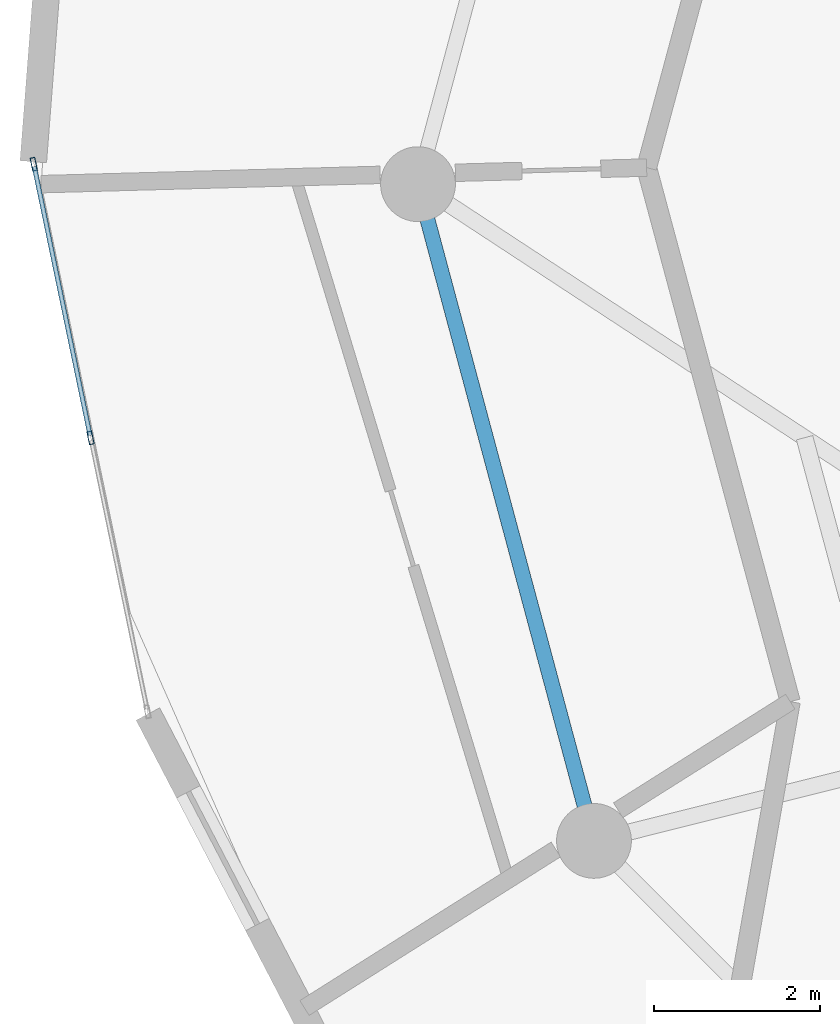
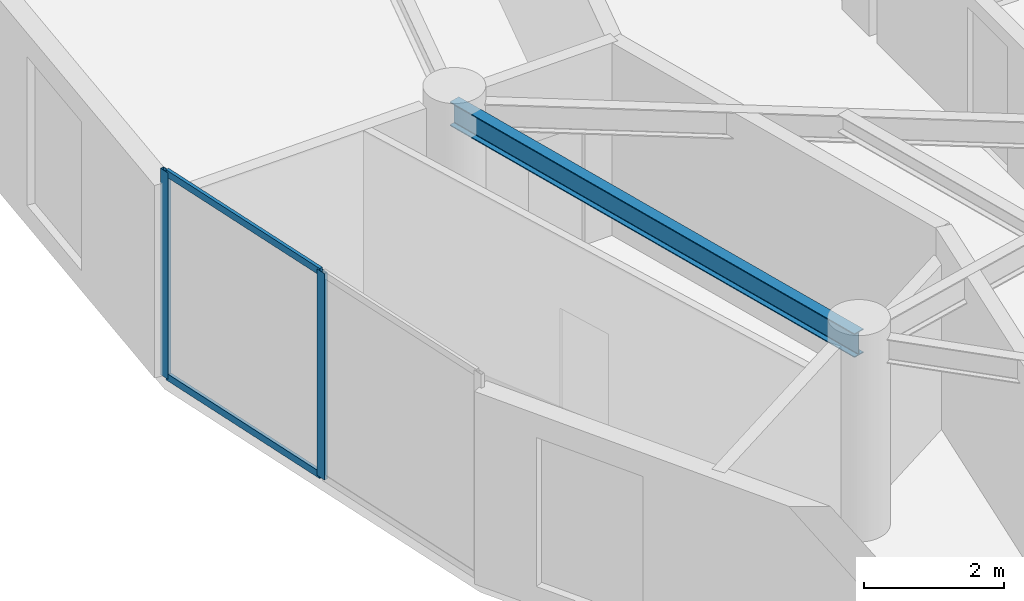
# One storey, part 7 of 21: 4 members, 1 beam, 1 element without a shape of its own.
"""IFC4 building model written with IfcOpenShell, lengths in metres."""

import ifcopenshell
import ifcopenshell.guid

model = None  # the IFC model being written
_history = None  # IfcOwnerHistory: only IFC2X3 demands one
_inside = {}  # id of a spatial element -> (the spatial element, [elements in it])
_under = {}  # id of a project, library or spatial element -> (it, [spatial elements below it])
_declared = {}  # id of a project -> (the project, [libraries it declares])
_typed = {}  # id of a type object -> (the type object, [elements of that type])
_made_of = {}  # id of a material, layer set ... -> (it, [elements and type objects made of it])


def new_model(schema):
    """Start an empty IFC model of exactly this schema.

    Asked for "IFC4X3", IfcOpenShell would pick the latest addendum, in which some entities
    have other attributes; the version numbers below select the first issue.
    IFC2X3 requires an IfcOwnerHistory on every rooted entity: one is made here for all.
    """
    global model, _history
    if schema == "IFC4X3":
        model = ifcopenshell.file(schema_version=(4, 3, 0, 0))
    else:
        model = ifcopenshell.file(schema=schema)
    _inside.clear()
    _under.clear()
    _declared.clear()
    _typed.clear()
    _made_of.clear()
    _history = None
    if model.schema == "IFC2X3":
        org = make("IfcOrganization", Name="unknown")
        user = make(
            "IfcPersonAndOrganization",
            ThePerson=make("IfcPerson", FamilyName="unknown"),
            TheOrganization=org,
        )
        app = make(
            "IfcApplication",
            ApplicationDeveloper=org,
            Version="unknown",
            ApplicationFullName="unknown",
            ApplicationIdentifier="unknown",
        )
        _history = make(
            "IfcOwnerHistory",
            OwningUser=user,
            OwningApplication=app,
            ChangeAction="ADDED",
            CreationDate=0,
        )
    return model


def make(cls, **values):
    """One entity of the class cls with the attributes given. An attribute that is None is left unset."""
    return model.create_entity(
        cls, **{name: value for name, value in values.items() if value is not None}
    )


def rooted(cls, **values):
    """An entity with a GlobalId (a new one), such as an element, a storey or a relation."""
    return make(cls, GlobalId=ifcopenshell.guid.new(), OwnerHistory=_history, **values)


def si_unit(unit_type, name, prefix=None):
    """IfcSIUnit, for example si_unit("LENGTHUNIT", "METRE", prefix="MILLI")."""
    return make("IfcSIUnit", UnitType=unit_type, Prefix=prefix, Name=name)


def assignment(units):
    """IfcUnitAssignment: the units of a project."""
    return None if units is None else make("IfcUnitAssignment", Units=units)


def point(xyz):
    """IfcCartesianPoint."""
    return None if xyz is None else make("IfcCartesianPoint", Coordinates=xyz)


def direction(xyz):
    """IfcDirection."""
    return None if xyz is None else make("IfcDirection", DirectionRatios=xyz)


def frame(location, z_axis=None, x_axis=None):
    """IfcAxis2Placement3D, a coordinate frame: its origin and axes. An axis left out is left unset."""
    return make(
        "IfcAxis2Placement3D",
        Location=point(location),
        Axis=direction(z_axis),
        RefDirection=direction(x_axis),
    )


def frame_2d(location, x_axis=None):
    """IfcAxis2Placement2D, a coordinate frame in the plane: its origin and x axis."""
    return make(
        "IfcAxis2Placement2D", Location=point(location), RefDirection=direction(x_axis)
    )


def origin():
    """The frame at (0, 0, 0) with its axes left unset."""
    return frame((0.0, 0.0, 0.0))


def origin_2d():
    """The frame at (0, 0) in the plane with its x axis left unset."""
    return frame_2d((0.0, 0.0))


def place(relative_to, where):
    """IfcLocalPlacement: puts the frame where relative to a parent placement (None: the world)."""
    return make(
        "IfcLocalPlacement", PlacementRelTo=relative_to, RelativePlacement=where
    )


def context(
    kind, dimensions, precision=None, world=None, true_north=None, identifier=None
):
    """IfcGeometricRepresentationContext, for example the 3D "Model" context."""
    return make(
        "IfcGeometricRepresentationContext",
        ContextIdentifier=identifier,
        ContextType=kind,
        CoordinateSpaceDimension=dimensions,
        Precision=precision,
        WorldCoordinateSystem=world,
        TrueNorth=true_north,
    )


def subcontext(parent, identifier, kind, view, scale=None):
    """IfcGeometricRepresentationSubContext, for example "Body" below "Model"."""
    return make(
        "IfcGeometricRepresentationSubContext",
        ContextIdentifier=identifier,
        ContextType=kind,
        ParentContext=parent,
        TargetScale=scale,
        TargetView=view,
    )


def project(units=None, contexts=None):
    """IfcProject with its units and contexts."""
    return rooted(
        "IfcProject",
        Name="project",
        RepresentationContexts=contexts,
        UnitsInContext=assignment(units),
    )


def spatial(cls, under=None, at=None, **own):
    """A site, building, storey or space (cls), placed at a placement, below another one or the project."""
    s = rooted(cls, ObjectPlacement=at, **own)
    if under is not None:
        _under.setdefault(under.id(), (under, []))[1].append(s)
    return s


def profile(cls, at=None, kind="AREA", **sizes):
    """A parametric profile (cls). Its sizes go by their IFC names, for example OverallWidth=200.0."""
    return make(cls, ProfileType=kind, Position=at, **sizes)


def hollow_rectangle(**sizes):
    """IfcRectangleHollowProfileDef."""
    return profile("IfcRectangleHollowProfileDef", **sizes)


def i_section(**sizes):
    """IfcIShapeProfileDef."""
    return profile("IfcIShapeProfileDef", **sizes)


def extrude(swept, where, along, depth):
    """IfcExtrudedAreaSolid: the profile swept, set in the frame where, extruded along a direction by depth."""
    return make(
        "IfcExtrudedAreaSolid",
        SweptArea=swept,
        Position=where,
        ExtrudedDirection=direction(along),
        Depth=depth,
    )


def shape(context_of_items, identifier, shape_type, items):
    """IfcShapeRepresentation: the items that make up one representation, for example the "Body"."""
    return make(
        "IfcShapeRepresentation",
        ContextOfItems=context_of_items,
        RepresentationIdentifier=identifier,
        RepresentationType=shape_type,
        Items=items,
    )


def source(mapping_origin, context_of_items, identifier, shape_type, items):
    """IfcRepresentationMap: a shape defined once, which mapped items show again and again."""
    return make(
        "IfcRepresentationMap",
        MappingOrigin=mapping_origin,
        MappedRepresentation=shape(context_of_items, identifier, shape_type, items),
    )


def transform(
    local_origin,
    x_axis=None,
    y_axis=None,
    z_axis=None,
    scale=None,
    scale2=None,
    scale3=None,
    uniform=True,
):
    """IfcCartesianTransformationOperator3D, or its non-uniform kind. x_axis, y_axis, z_axis: its Axis1, 2, 3."""
    if uniform:
        return make(
            "IfcCartesianTransformationOperator3D",
            Axis1=direction(x_axis),
            Axis2=direction(y_axis),
            LocalOrigin=point(local_origin),
            Scale=scale,
            Axis3=direction(z_axis),
        )
    return make(
        "IfcCartesianTransformationOperator3DnonUniform",
        Axis1=direction(x_axis),
        Axis2=direction(y_axis),
        LocalOrigin=point(local_origin),
        Scale=scale,
        Axis3=direction(z_axis),
        Scale2=scale2,
        Scale3=scale3,
    )


def mapped(mapping_source, mapping_target):
    """IfcMappedItem: shows the shape of a source again, moved by a transform."""
    return make(
        "IfcMappedItem", MappingSource=mapping_source, MappingTarget=mapping_target
    )


def material(Name=None, Category=None):
    """IfcMaterial."""
    return make("IfcMaterial", Name=Name, Category=Category)


def layer(
    of_material, thickness, ventilated=None, Name=None, Category=None, Priority=None
):
    """IfcMaterialLayer: one layer of a wall or slab, of a material (None: an air gap)."""
    return make(
        "IfcMaterialLayer",
        Material=of_material,
        LayerThickness=thickness,
        IsVentilated=ventilated,
        Name=Name,
        Category=Category,
        Priority=Priority,
    )


def layer_set(layers, Name=None):
    """IfcMaterialLayerSet."""
    return make("IfcMaterialLayerSet", MaterialLayers=layers, LayerSetName=Name)


def material_profile(
    of_material, cross_section, Name=None, Category=None, Priority=None
):
    """IfcMaterialProfile: a cross section and its material."""
    return make(
        "IfcMaterialProfile",
        Name=Name,
        Material=of_material,
        Profile=cross_section,
        Priority=Priority,
        Category=Category,
    )


def profile_set(profiles, Name=None, composite=None):
    """IfcMaterialProfileSet."""
    return make(
        "IfcMaterialProfileSet",
        Name=Name,
        MaterialProfiles=profiles,
        CompositeProfile=composite,
    )


def made_of(thing, what):
    """Note that an element or type object is made of a material, layer set ...; save() writes the relation."""
    if what is not None:
        _made_of.setdefault(what.id(), (what, []))[1].append(thing)
    return thing


def type_object(cls, material=None, **own):
    """A type object (cls), such as IfcWallType, which elements share."""
    return made_of(rooted(cls, **own), material)


def element(
    cls,
    number,
    at=None,
    inside=None,
    cuts=None,
    type_object=None,
    material=None,
    context=None,
    identifier="Body",
    shape_type=None,
    held_by="IfcProductDefinitionShape",
    body=None,
    shapes=None,
    **own,
):
    """One element of the class cls, such as IfcWall. Its Tag is "e" and its number.

    at: its placement. inside: the storey or other place that contains it. cuts: it is an
    opening in that element (IfcRelVoidsElement). A single representation is given by context,
    identifier, shape_type and body (its items); several are given by shapes. held_by: the class
    of the entity that holds the representations. save() writes the other relations.
    """
    e = rooted(cls, Tag="e%d" % number, ObjectPlacement=at, **own)
    if body is not None:
        shapes = [shape(context, identifier, shape_type, body)]
    if shapes is not None:
        e.Representation = make(held_by, Representations=shapes)
    if inside is not None:
        _inside.setdefault(inside.id(), (inside, []))[1].append(e)
    if cuts is not None:
        rooted(
            "IfcRelVoidsElement", RelatingBuildingElement=cuts, RelatedOpeningElement=e
        )
    if type_object is not None:
        _typed.setdefault(type_object.id(), (type_object, []))[1].append(e)
    return made_of(e, material)


def aggregate(whole, parts):
    """IfcRelAggregates: a whole, such as a stair, and the parts it consists of."""
    return rooted("IfcRelAggregates", RelatingObject=whole, RelatedObjects=parts)


def save(model, path):
    """Write the relations noted so far, then the file.

    IfcRelAggregates (storeys below a building ...), IfcRelContainedInSpatialStructure (elements
    in a storey), IfcRelDefinesByType, IfcRelAssociatesMaterial and IfcRelDeclares: one each for
    every whole, place, type object, material and project.
    """
    for whole, parts in _under.values():
        aggregate(whole, parts)
    for where, things in _inside.values():
        rooted(
            "IfcRelContainedInSpatialStructure",
            RelatedElements=things,
            RelatingStructure=where,
        )
    for kind, things in _typed.values():
        rooted("IfcRelDefinesByType", RelatedObjects=things, RelatingType=kind)
    for what, things in _made_of.values():
        rooted("IfcRelAssociatesMaterial", RelatedObjects=things, RelatingMaterial=what)
    for by, libraries in _declared.values():
        rooted("IfcRelDeclares", RelatingContext=by, RelatedDefinitions=libraries)
    model.write(path)


model = new_model("IFC4")

# Units and contexts
model_context = context("Model", 3, precision=1e-05, world=origin(), true_north=direction((0.0, 1.0)))
body_context = subcontext(model_context, "Body", "Model", "MODEL_VIEW")
ifc_project = project(units=[si_unit("LENGTHUNIT", "METRE"), si_unit("AREAUNIT", "SQUARE_METRE"), si_unit("VOLUMEUNIT", "CUBIC_METRE"), si_unit("PLANEANGLEUNIT", "RADIAN"), si_unit("MASSUNIT", "GRAM", prefix="KILO")], contexts=[model_context])

# Site, building, storey
site_placement = place(None, origin())
site = spatial("IfcSite", under=ifc_project, at=site_placement, CompositionType="ELEMENT")
building_placement = place(site_placement, origin())
building = spatial("IfcBuilding", under=site, at=building_placement, Name="Solvirekh Grand Hotel", CompositionType="ELEMENT")
storey_placement = place(building_placement, frame((0.0, 0.0, 220.0)))
storey = spatial("IfcBuildingStorey", under=building, at=storey_placement, Name="L57", CompositionType="ELEMENT", Elevation=220.0)

# Beam
ifc_material_1 = material(Name="Steel S355", Category="steel")
ifc_material_profile_1 = material_profile(ifc_material_1, i_section(OverallWidth=0.180908203125, OverallDepth=0.4169921875, WebThickness=0.010009765625, FlangeThickness=0.01611328125, FilletRadius=0.011962890625, at=origin_2d()), Name="W410X85")
ifc_profile_set_1 = profile_set([ifc_material_profile_1], Name="Steel S355")
beam_type = type_object("IfcBeamType", Name="Spandrel_Ring_W410", PredefinedType="SPANDREL", material=ifc_profile_set_1)
beam_placement = place(storey_placement, frame((-15.800048828125, 0.0, 3.152099609375), z_axis=(0.258838541915, -0.965920601923, 0.0), x_axis=(0.965920601923, 0.258838541915, 0.0)))
element("IfcBeam", 1, at=beam_placement, inside=storey, type_object=beam_type, Name="L57 perimeter spandrel beam 7", PredefinedType="SPANDREL", context=body_context, shape_type="SweptSolid", body=[
    extrude(i_section(OverallWidth=0.180908203125, OverallDepth=0.4169921875, WebThickness=0.010009765625, FlangeThickness=0.01611328125, FilletRadius=0.011962890625, at=origin_2d()), origin(), (0.0, 0.0, 1.0), 8.1787109375),
])

# Curtain wall, members
ifc_material_2 = material(Name="Anodized Bronze Aluminium 6063-T6", Category="aluminium")
ifc_layer = layer(ifc_material_2, 0.159912109375)
ifc_layer_set = layer_set([ifc_layer], Name="Anodized Bronze Aluminium 6063-T6")
curtain_wall_type = type_object("IfcCurtainWallType", Name="CW_Sys4_HighZoneFlushBronzeCW", PredefinedType="NOTDEFINED", material=ifc_layer_set)
curtain_wall_placement = place(storey_placement, origin())
curtain_wall = element("IfcCurtainWall", 2, at=curtain_wall_placement, inside=storey, type_object=curtain_wall_type, Name="L57 unitised bronze-glass curtain wall CW-L57-C15", PredefinedType="NOTDEFINED")
ifc_material_profile_2 = material_profile(ifc_material_2, hollow_rectangle(XDim=0.06005859375, YDim=0.159912109375, WallThickness=0.0048828125, at=origin_2d()), Name="ALU RHS 160X60X5")
ifc_profile_set_2 = profile_set([ifc_material_profile_2], Name="Anodized Bronze Aluminium 6063-T6")
member_type_1 = type_object("IfcMemberType", Name="CWMullion_Sys4", PredefinedType="MULLION", material=ifc_profile_set_2)
shared_shape_1 = source(origin(), body_context, "Body", "SweptSolid", [
    extrude(hollow_rectangle(XDim=0.06005859375, YDim=0.159912109375, WallThickness=0.0048828125, at=origin_2d()), origin(), (0.0, 0.0, 1.0), 3.60009765625),
])
member_1_placement = place(storey_placement, frame((-20.421875, 0.24072265625, 0.0), z_axis=(0.0, 0.0, 1.0), x_axis=(0.979132177626, 0.203224454082, 0.0)))
member_1 = element("IfcMember", 3, at=member_1_placement, type_object=member_type_1, Name="U04 mullion 1", PredefinedType="MULLION", context=body_context, shape_type="MappedRepresentation", body=[
    mapped(shared_shape_1, transform((0.0, 0.0, 0.0), x_axis=(1.0, 0.0, 0.0), y_axis=(0.0, 1.0, 0.0), z_axis=(0.0, 0.0, 1.0), scale=1.0)),
])
member_2_placement = place(storey_placement, frame((-19.738525390625, -3.052001953125, 0.0), z_axis=(0.0, 0.0, 1.0), x_axis=(0.979132177626, 0.203224454082, 0.0)))
member_2 = element("IfcMember", 4, at=member_2_placement, type_object=member_type_1, Name="U04 mullion 2", PredefinedType="MULLION", context=body_context, shape_type="MappedRepresentation", body=[
    mapped(shared_shape_1, transform((0.0, 0.0, 0.0), x_axis=(1.0, 0.0, 0.0), y_axis=(0.0, 1.0, 0.0), z_axis=(0.0, 0.0, 1.0), scale=1.0)),
])
ifc_material_profile_3 = material_profile(ifc_material_2, hollow_rectangle(XDim=0.054931640625, YDim=0.1201171875, WallThickness=0.00390625, at=origin_2d()), Name="ALU RHS 120X55X4")
ifc_profile_set_3 = profile_set([ifc_material_profile_3], Name="Anodized Bronze Aluminium 6063-T6")
member_type_2 = type_object("IfcMemberType", Name="CWTransom_Sys4", PredefinedType="USERDEFINED", material=ifc_profile_set_3)
shared_shape_2 = source(origin(), body_context, "Body", "SweptSolid", [
    extrude(hollow_rectangle(XDim=0.054931640625, YDim=0.1201171875, WallThickness=0.00390625, at=origin_2d()), origin(), (0.0, 0.0, 1.0), 3.302734375),
])
member_3_placement = place(storey_placement, frame((-20.415771484375, 0.211181640625, 0.027587890625), z_axis=(0.20320442284, -0.979136335011, 0.0), x_axis=(0.979136335011, 0.20320442284, 0.0)))
member_3 = element("IfcMember", 5, at=member_3_placement, type_object=member_type_2, Name="U04 transom 1.1", ObjectType="TRANSOM", PredefinedType="USERDEFINED", context=body_context, shape_type="MappedRepresentation", body=[
    mapped(shared_shape_2, transform((0.0, 0.0, 0.0), x_axis=(1.0, 0.0, 0.0), y_axis=(0.0, 1.0, 0.0), z_axis=(0.0, 0.0, 1.0), scale=1.0)),
])
member_4_placement = place(storey_placement, frame((-20.415771484375, 0.211181640625, 3.572509765625), z_axis=(0.20320442284, -0.979136335011, 0.0), x_axis=(0.979136335011, 0.20320442284, 0.0)))
member_4 = element("IfcMember", 6, at=member_4_placement, type_object=member_type_2, Name="U04 transom 1.2", ObjectType="TRANSOM", PredefinedType="USERDEFINED", context=body_context, shape_type="MappedRepresentation", body=[
    mapped(shared_shape_2, transform((0.0, 0.0, 0.0), x_axis=(1.0, 0.0, 0.0), y_axis=(0.0, 1.0, 0.0), z_axis=(0.0, 0.0, 1.0), scale=1.0)),
])
aggregate(curtain_wall, [member_1, member_2, member_3, member_4])

save(model, "model.ifc")
